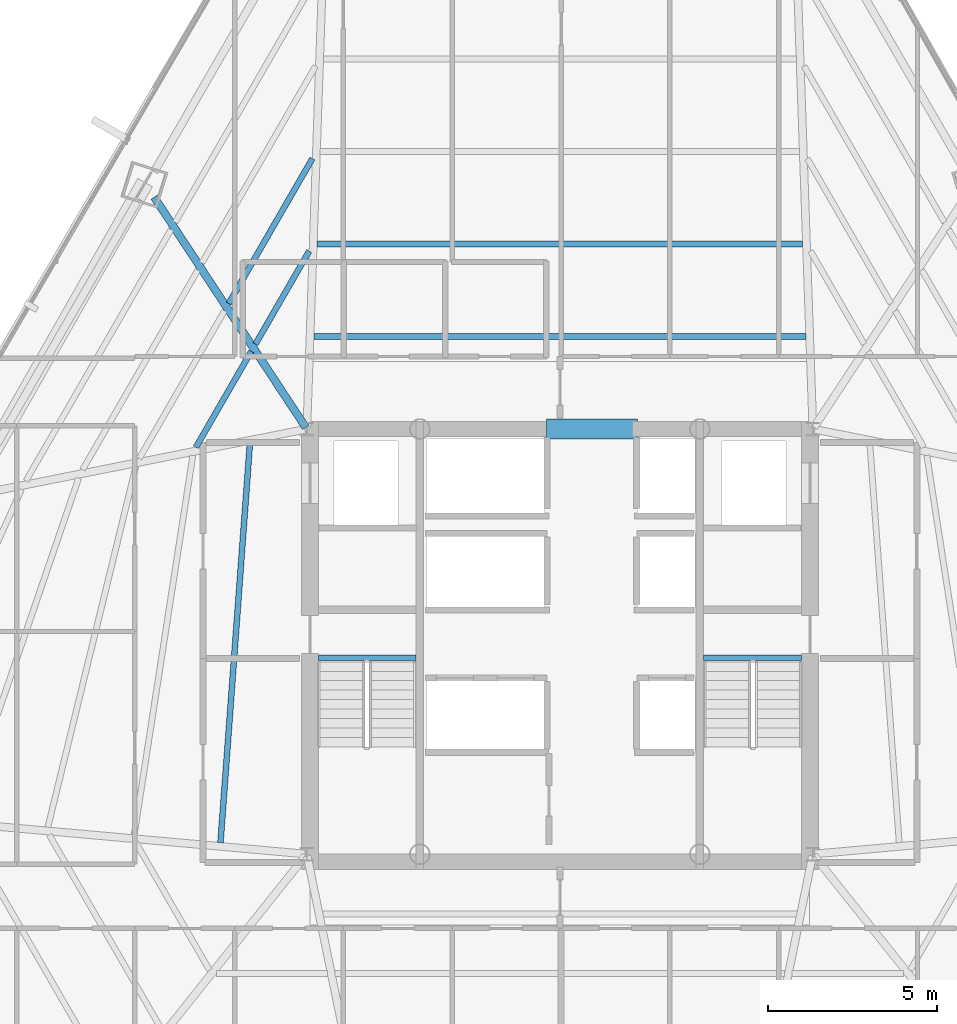
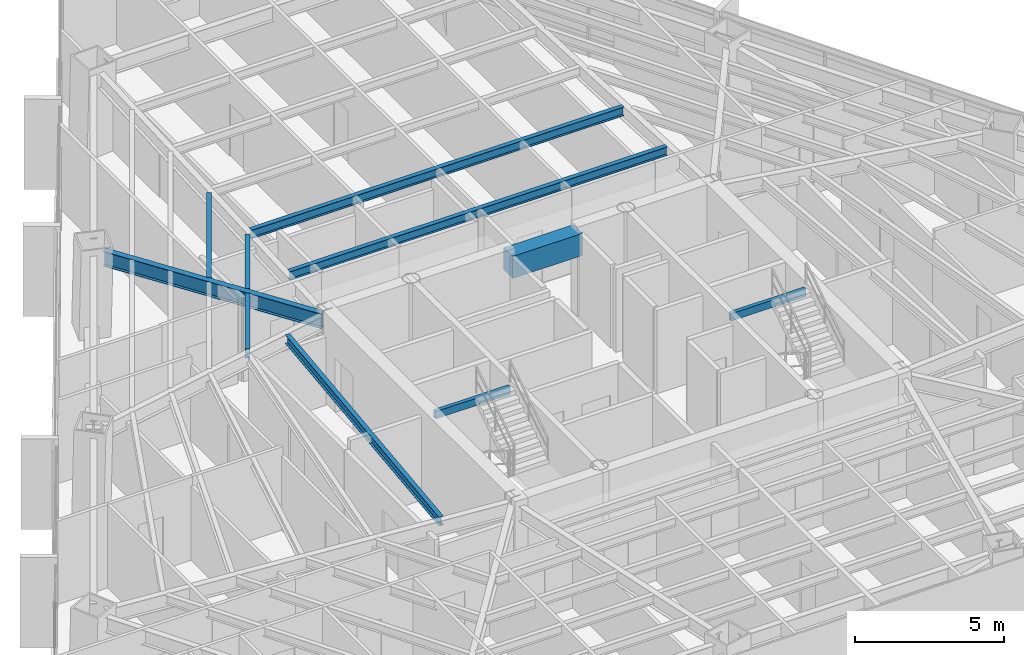
# One storey, part 13 of 35: 10 beams.
"""IFC4 building model written with IfcOpenShell, lengths in metres."""

from ifc_helpers import new_model, si_unit, direction, frame, origin, origin_2d, place, context, subcontext, project, spatial, rectangle, hollow_rectangle, i_section, extrude, source, transform, mapped, material, material_profile, profile_set, type_object, type_shapes, element, save


model = new_model("IFC4")

# Units and contexts
model_context = context("Model", 3, precision=1e-05, world=origin(), true_north=direction((0.0, 1.0)))
body_context = subcontext(model_context, "Body", "Model", "MODEL_VIEW")
ifc_project = project(units=[si_unit("LENGTHUNIT", "METRE"), si_unit("AREAUNIT", "SQUARE_METRE"), si_unit("VOLUMEUNIT", "CUBIC_METRE"), si_unit("PLANEANGLEUNIT", "RADIAN"), si_unit("MASSUNIT", "GRAM", prefix="KILO")], contexts=[model_context])

# Site, building, storey
site_placement = place(None, origin())
site = spatial("IfcSite", under=ifc_project, at=site_placement, CompositionType="ELEMENT")
building_placement = place(site_placement, origin())
building = spatial("IfcBuilding", under=site, at=building_placement, Name="Caelisora Broadcast Tower", CompositionType="ELEMENT")
storey_placement = place(building_placement, frame((0.0, 0.0, 123.64990234375)))
storey = spatial("IfcBuildingStorey", under=building, at=storey_placement, Name="L32", CompositionType="ELEMENT", Elevation=123.64990234375)

# Beams
ifc_material_1 = material(Name="Steel Grade 350 (AS/NZS 1163 C350L0)", Category="steel")
ifc_material_profile_1 = material_profile(ifc_material_1, hollow_rectangle(XDim=0.14990234375, YDim=0.300048828125, WallThickness=0.010009765625, at=origin_2d()), Name="Steel Grade 350 (AS/NZS 1163 C350L0)")
ifc_profile_set_1 = profile_set([ifc_material_profile_1], Name="Steel Grade 350 (AS/NZS 1163 C350L0)")
beam_type_1 = type_object("IfcBeamType", Name="SB05", PredefinedType="JOIST", material=ifc_profile_set_1)
shared_shape_1 = source(origin(), body_context, "Body", "SweptSolid", [
    extrude(hollow_rectangle(XDim=0.14990234375, YDim=0.300048828125, WallThickness=0.010009765625, at=origin_2d()), origin(), (0.0, 0.0, 1.0), 2.89990234375),
])
type_shapes(beam_type_1, [shared_shape_1])
for number, where, z_axis, x_axis, name in (
    (1, (30.840087890625, 23.219970703125, 3.25), (1.0, 0.0, 0.0), (0.0, 1.0, 0.0), "L32 beam SB05"),
    (2, (42.260009765625, 23.219970703125, 3.25), (1.0, 0.0, 0.0), (0.0, 1.0, 0.0), "L32 beam SB05"),
):
    element("IfcBeam", number, at=place(storey_placement, frame(where, z_axis=z_axis, x_axis=x_axis)), inside=storey, type_object=beam_type_1, Name=name, PredefinedType="JOIST", context=body_context, shape_type="MappedRepresentation", body=[
        mapped(shared_shape_1, transform((0.0, 0.0, 0.0), scale=1.0)),
    ])
ifc_material_2 = material(Name="Concrete 50 MPa (AS 3600 S50)", Category="concrete")
ifc_material_profile_2 = material_profile(ifc_material_2, rectangle(XDim=0.60009765625, YDim=0.89990234375, at=origin_2d()), Name="Concrete 50 MPa (AS 3600 S50)")
ifc_profile_set_2 = profile_set([ifc_material_profile_2], Name="Concrete 50 MPa (AS 3600 S50)")
beam_type_2 = type_object("IfcBeamType", Name="CB02", PredefinedType="LINTEL", material=ifc_profile_set_2)
shared_shape_2 = source(origin(), body_context, "Body", "SweptSolid", [
    extrude(rectangle(XDim=0.60009765625, YDim=0.89990234375, at=origin_2d()), origin(), (0.0, 0.0, 1.0), 2.699951171875),
])
type_shapes(beam_type_2, [shared_shape_2])
beam_1_placement = place(storey_placement, frame((37.60009765625, 30.0, 2.9501953125), z_axis=(1.0, 0.0, 0.0), x_axis=(0.0, 1.0, 0.0)))
element("IfcBeam", 3, at=beam_1_placement, inside=storey, type_object=beam_type_2, Name="L32 beam CB02", PredefinedType="LINTEL", context=body_context, shape_type="MappedRepresentation", body=[
    mapped(shared_shape_2, transform((0.0, 0.0, 0.0), scale=1.0)),
])
ifc_material_3 = material(Name="Steel Grade 350 (AS/NZS 3679.1)", Category="steel")
ifc_material_profile_3 = material_profile(ifc_material_3, i_section(OverallWidth=0.22802734375, OverallDepth=0.602294921875, WebThickness=0.010498046875, FlangeThickness=0.014892578125, at=origin_2d()), Name="Steel Grade 350 (AS/NZS 3679.1)")
ifc_profile_set_3 = profile_set([ifc_material_profile_3], Name="Steel Grade 350 (AS/NZS 3679.1)")
beam_type_3 = type_object("IfcBeamType", Name="PG04", PredefinedType="BEAM", material=ifc_profile_set_3)
shared_shape_3 = source(origin(), body_context, "Body", "SweptSolid", [
    extrude(i_section(OverallWidth=0.22802734375, OverallDepth=0.602294921875, WebThickness=0.010498046875, FlangeThickness=0.014892578125, at=origin_2d()), origin(), (0.0, 0.0, 1.0), 8.16845703125),
])
type_shapes(beam_type_3, [shared_shape_3])
beam_2_placement = place(storey_placement, frame((30.467041015625, 30.050048828125, 3.098876953125), z_axis=(-0.549786658587, 0.835305111944, 0.0), x_axis=(-0.835305111944, -0.549786658587, 0.0)))
element("IfcBeam", 4, at=beam_2_placement, inside=storey, type_object=beam_type_3, Name="L32 beam PG04", PredefinedType="BEAM", context=body_context, shape_type="MappedRepresentation", body=[
    mapped(shared_shape_3, transform((0.0, 0.0, 0.0), scale=1.0)),
])
ifc_material_profile_4 = material_profile(ifc_material_3, i_section(OverallWidth=0.172119140625, OverallDepth=0.358642578125, WebThickness=0.008056640625, FlangeThickness=0.012939453125, at=origin_2d()), Name="Steel Grade 350 (AS/NZS 3679.1)")
ifc_profile_set_4 = profile_set([ifc_material_profile_4], Name="Steel Grade 350 (AS/NZS 3679.1)")
beam_type_4 = type_object("IfcBeamType", Name="SB02", PredefinedType="JOIST", material=ifc_profile_set_4)
shared_shape_4 = source(origin(), body_context, "Body", "SweptSolid", [
    extrude(i_section(OverallWidth=0.172119140625, OverallDepth=0.358642578125, WebThickness=0.008056640625, FlangeThickness=0.012939453125, at=origin_2d()), origin(), (0.0, 0.0, 1.0), 14.587890625),
])
beam_3_placement = place(storey_placement, frame((45.2939453125, 32.7412109375, 3.220703125), z_axis=(-1.0, 0.0, 0.0), x_axis=(0.0, -1.0, 0.0)))
element("IfcBeam", 5, at=beam_3_placement, inside=storey, type_object=beam_type_4, Name="L32 beam SB02", PredefinedType="JOIST", context=body_context, shape_type="MappedRepresentation", body=[
    mapped(shared_shape_4, transform((0.0, 0.0, 0.0), scale=1.0)),
])
shared_shape_5 = source(origin(), body_context, "Body", "SweptSolid", [
    extrude(i_section(OverallWidth=0.172119140625, OverallDepth=0.358642578125, WebThickness=0.008056640625, FlangeThickness=0.012939453125, at=origin_2d()), origin(), (0.0, 0.0, 1.0), 14.39794921875),
])
beam_4_placement = place(storey_placement, frame((45.198974609375, 35.482421875, 3.220703125), z_axis=(-1.0, 0.0, 0.0), x_axis=(0.0, -1.0, 0.0)))
element("IfcBeam", 6, at=beam_4_placement, inside=storey, type_object=beam_type_4, Name="L32 beam SB02", PredefinedType="JOIST", context=body_context, shape_type="MappedRepresentation", body=[
    mapped(shared_shape_5, transform((0.0, 0.0, 0.0), scale=1.0)),
])
shared_shape_6 = source(origin(), body_context, "Body", "SweptSolid", [
    extrude(i_section(OverallWidth=0.172119140625, OverallDepth=0.358642578125, WebThickness=0.008056640625, FlangeThickness=0.012939453125, at=origin_2d()), origin(), (0.0, 0.0, 1.0), 3.185791015625),
])
beam_5_placement = place(storey_placement, frame((30.5703125, 35.27490234375, 3.220703125), z_axis=(-0.500020955208, -0.866013304951, 0.0), x_axis=(0.866013304951, -0.500020955208, 0.0)))
element("IfcBeam", 7, at=beam_5_placement, inside=storey, type_object=beam_type_4, Name="L32 beam SB02", PredefinedType="JOIST", context=body_context, shape_type="MappedRepresentation", body=[
    mapped(shared_shape_6, transform((0.0, 0.0, 0.0), scale=1.0)),
])
shared_shape_7 = source(origin(), body_context, "Body", "SweptSolid", [
    extrude(i_section(OverallWidth=0.172119140625, OverallDepth=0.358642578125, WebThickness=0.008056640625, FlangeThickness=0.012939453125, at=origin_2d()), origin(), (0.0, 0.0, 1.0), 4.960693359375),
])
beam_6_placement = place(storey_placement, frame((30.665283203125, 38.01611328125, 3.220703125), z_axis=(-0.500013557629, -0.866017576142, 0.0), x_axis=(0.866017576142, -0.500013557629, 0.0)))
element("IfcBeam", 8, at=beam_6_placement, inside=storey, type_object=beam_type_4, Name="L32 beam SB02", PredefinedType="JOIST", context=body_context, shape_type="MappedRepresentation", body=[
    mapped(shared_shape_7, transform((0.0, 0.0, 0.0), scale=1.0)),
])
shared_shape_8 = source(origin(), body_context, "Body", "SweptSolid", [
    extrude(i_section(OverallWidth=0.172119140625, OverallDepth=0.358642578125, WebThickness=0.008056640625, FlangeThickness=0.012939453125, at=origin_2d()), origin(), (0.0, 0.0, 1.0), 3.27685546875),
])
beam_7_placement = place(storey_placement, frame((28.852783203125, 32.30029296875, 3.220703125), z_axis=(-0.499993320981, -0.866029259884, 0.0), x_axis=(0.866029259884, -0.499993320981, 0.0)))
element("IfcBeam", 9, at=beam_7_placement, inside=storey, type_object=beam_type_4, Name="L32 beam SB02", PredefinedType="JOIST", context=body_context, shape_type="MappedRepresentation", body=[
    mapped(shared_shape_8, transform((0.0, 0.0, 0.0), scale=1.0)),
])
shared_shape_9 = source(origin(), body_context, "Body", "SweptSolid", [
    extrude(i_section(OverallWidth=0.172119140625, OverallDepth=0.358642578125, WebThickness=0.008056640625, FlangeThickness=0.012939453125, at=origin_2d()), origin(), (0.0, 0.0, 1.0), 11.843505859375),
])
type_shapes(beam_type_4, [shared_shape_4, shared_shape_5, shared_shape_6, shared_shape_7, shared_shape_8, shared_shape_9])
beam_8_placement = place(storey_placement, frame((28.8115234375, 29.5517578125, 3.220703125), z_axis=(-0.07352923424, -0.9972930621, 0.0), x_axis=(0.9972930621, -0.07352923424, 0.0)))
element("IfcBeam", 10, at=beam_8_placement, inside=storey, type_object=beam_type_4, Name="L32 beam SB02", PredefinedType="JOIST", context=body_context, shape_type="MappedRepresentation", body=[
    mapped(shared_shape_9, transform((0.0, 0.0, 0.0), scale=1.0)),
])

save(model, "model.ifc")
